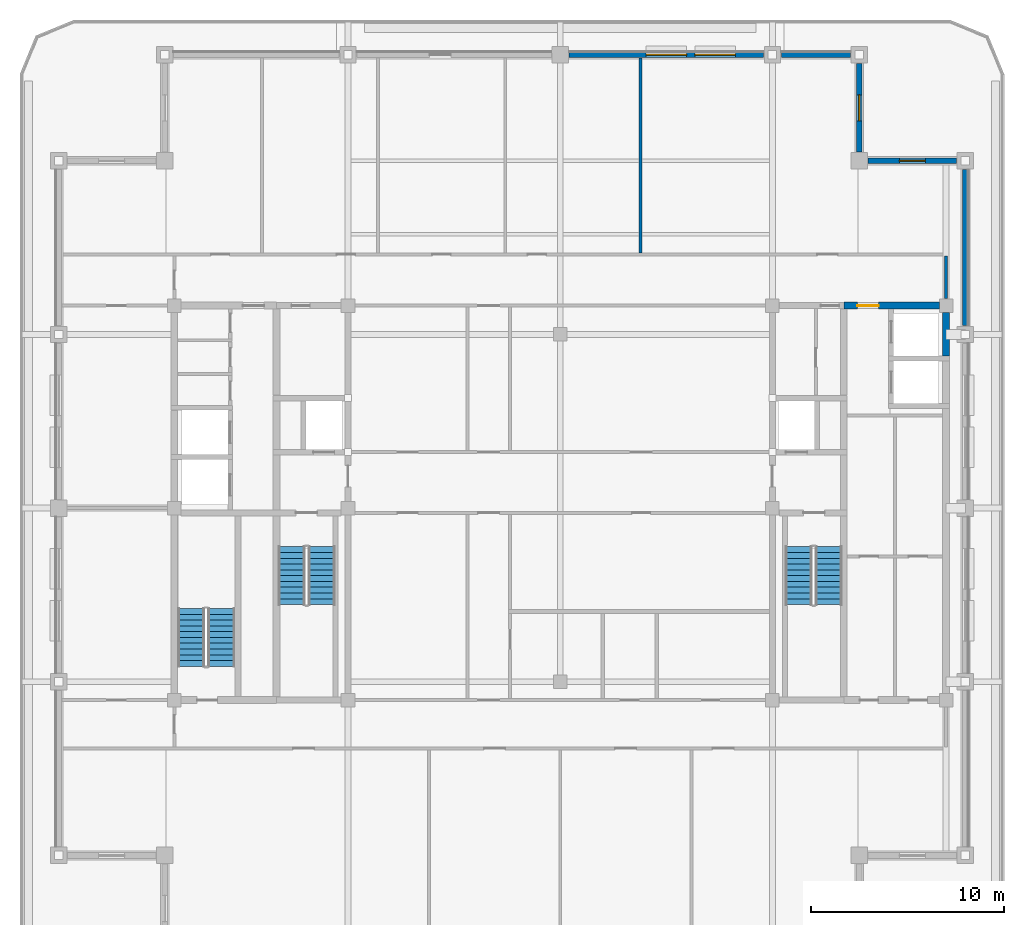
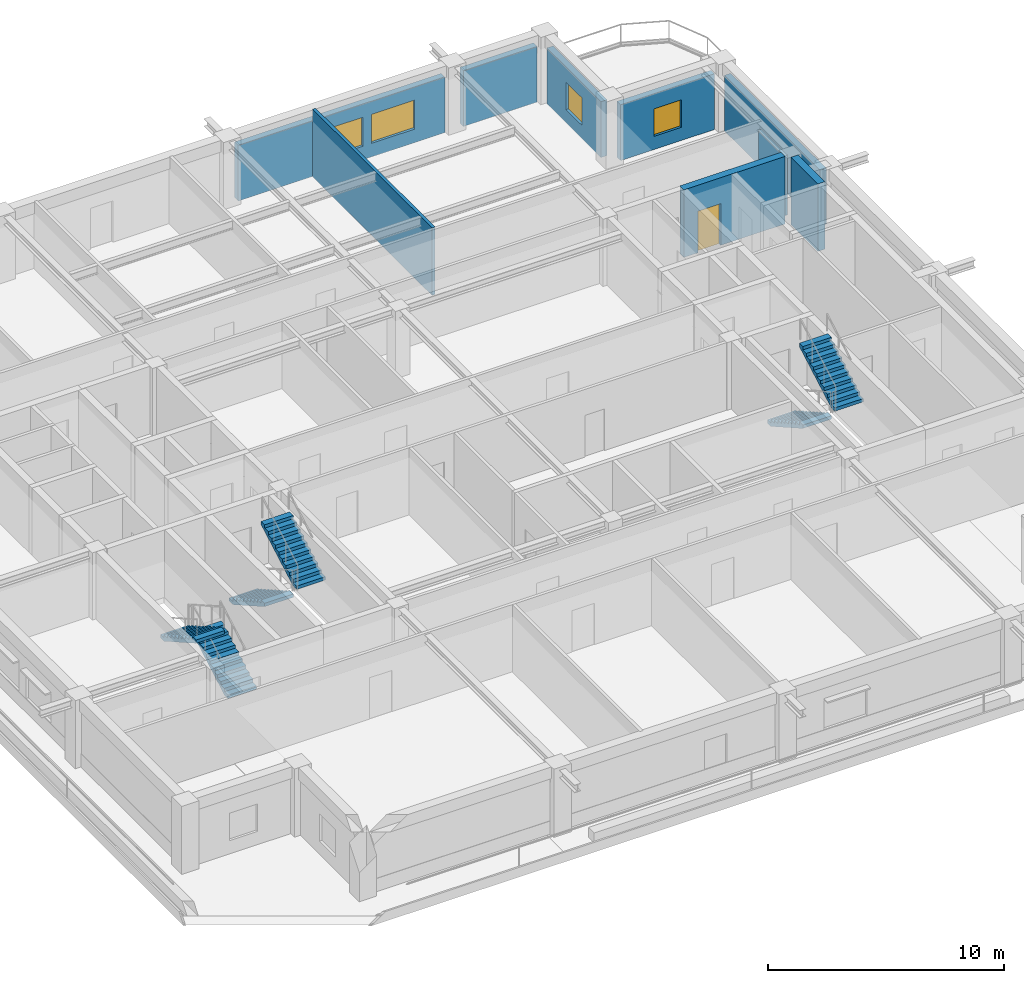
# One storey, part 6 of 11: 9 walls, 6 stair flights, 4 windows, 1 door, 5 openings, 3 elements without a shape of their own.
"""IFC4 building model written with IfcOpenShell, lengths in metres."""

from ifc_helpers import new_model, si_unit, direction, frame, frame_2d, origin, place, context, subcontext, project, spatial, polyline, rectangle, outline, extrude, material, layer, layer_set, type_object, element, fill, aggregate, save


model = new_model("IFC4")

# Units and contexts
model_context = context("Model", 3, precision=1e-05, world=origin(), true_north=direction((0.0, 1.0)))
body_context = subcontext(model_context, "Body", "Model", "MODEL_VIEW")
ifc_project = project(units=[si_unit("LENGTHUNIT", "METRE"), si_unit("AREAUNIT", "SQUARE_METRE"), si_unit("VOLUMEUNIT", "CUBIC_METRE"), si_unit("PLANEANGLEUNIT", "RADIAN"), si_unit("MASSUNIT", "GRAM", prefix="KILO")], contexts=[model_context])

# Site, building, storey
site_placement = place(None, origin())
site = spatial("IfcSite", under=ifc_project, at=site_placement, CompositionType="ELEMENT")
building_placement = place(site_placement, origin())
building = spatial("IfcBuilding", under=site, at=building_placement, Name="Zulmaris Gate Convention Tower", CompositionType="ELEMENT")
storey_placement = place(building_placement, frame((0.0, 0.0, 270.580078125)))
storey = spatial("IfcBuildingStorey", under=building, at=storey_placement, Name="L72", CompositionType="ELEMENT", Elevation=270.580078125)

# Wall, opening, door
ifc_material_1 = material(Name="Concrete C55/67", Category="concrete")
ifc_layer_1 = layer(ifc_material_1, 0.35009765625, Name="Concrete C55/67")
ifc_layer_set_1 = layer_set([ifc_layer_1], Name="Concrete C55/67")
wall_type_1 = type_object("IfcWallType", Name="CORE-350", PredefinedType="SHEAR", material=ifc_layer_set_1)
wall_1_placement = place(storey_placement, frame((14.699951171875, 10.5, 0.0), z_axis=(0.0, 0.0, 1.0), x_axis=(1.0, 0.0, 0.0)))
wall_1 = element("IfcWall", 1, at=wall_1_placement, inside=storey, type_object=wall_type_1, Name="WL-L72-018", PredefinedType="SHEAR", context=body_context, shape_type="SweptSolid", body=[
    extrude(rectangle(XDim=4.946044921875, YDim=0.35009765625, at=frame_2d((2.47314453125, 0.0))), origin(), (0.0, 0.0, 1.0), 3.489990234375),
])
opening_1_placement = place(wall_1_placement, frame((0.699951171875, 0.0, 0.0)))
opening_1 = element("IfcOpeningElement", 2, at=opening_1_placement, cuts=wall_1, Name="Opening D-08", PredefinedType="OPENING", context=body_context, shape_type="SweptSolid", body=[
    extrude(rectangle(XDim=1.10009765625, YDim=2.14990234375, at=frame_2d((0.550048828125, 1.074951171875))), frame((0.0, 0.18505859375, 0.0), z_axis=(0.0, -1.0, 0.0), x_axis=(1.0, 0.0, 0.0)), (0.0, 0.0, 1.0), 0.3701171875),
])
ifc_material_2 = material(Name="Fire-Rated Steel", Category="steel")
door_type = type_object("IfcDoorType", Name="DR-1100-FD", OperationType="NOTDEFINED", PredefinedType="DOOR", material=ifc_material_2)
door_placement = place(opening_1_placement, origin())
door = element("IfcDoor", 3, at=door_placement, inside=storey, type_object=door_type, Name="L72 High-Rise East Lift Lobby Door 19", OperationType="SINGLE_SWING_LEFT", OverallHeight=2.14990234375, OverallWidth=1.10009765625, PredefinedType="DOOR", context=body_context, shape_type="SweptSolid", body=[
    extrude(rectangle(XDim=1.10009765625, YDim=2.14990234375, at=frame_2d((0.550048828125, 1.074951171875))), frame((0.0, 0.02490234375, 0.0), z_axis=(0.0, -1.0, 0.0), x_axis=(1.0, 0.0, 0.0)), (0.0, 0.0, 1.0), 0.050048828125),
])
fill(opening_1, door)

# Walls
wall_2_placement = place(storey_placement, frame((20.0, 7.876953125, 0.0), z_axis=(0.0, 0.0, 1.0), x_axis=(0.0, 1.0, 0.0)))
element("IfcWall", 4, at=wall_2_placement, inside=storey, type_object=wall_type_1, Name="WL-L72-064", PredefinedType="SHEAR", context=body_context, shape_type="SweptSolid", body=[
    extrude(rectangle(XDim=2.26904296875, YDim=0.35009765625, at=frame_2d((1.134521484375, 0.0))), origin(), (0.0, 0.0, 1.0), 3.489990234375),
])
ifc_material_3 = material(Name="Gypsum Metal Stud Partition")
ifc_layer_2 = layer(ifc_material_3, 0.14990234375, Name="Gypsum Metal Stud Partition")
ifc_layer_set_2 = layer_set([ifc_layer_2], Name="Gypsum Metal Stud Partition")
wall_type_2 = type_object("IfcWallType", Name="PART-150", PredefinedType="PARTITIONING", material=ifc_layer_set_2)
wall_3_placement = place(storey_placement, frame((4.14990234375, 13.22802734375, 0.0), z_axis=(0.0, 0.0, 1.0), x_axis=(0.0, 1.0, 0.0)))
element("IfcWall", 5, at=wall_3_placement, inside=storey, type_object=wall_type_2, Name="WL-L72-081", PredefinedType="PARTITIONING", context=body_context, shape_type="SweptSolid", body=[
    extrude(rectangle(XDim=10.10693359375, YDim=0.14990234375, at=frame_2d((5.053466796875, 0.0))), origin(), (0.0, 0.0, 1.0), 3.489990234375),
])
wall_4_placement = place(storey_placement, frame((20.0, 10.85595703125, 0.0), z_axis=(0.0, 0.0, 1.0), x_axis=(0.0, 1.0, 0.0)))
element("IfcWall", 6, at=wall_4_placement, inside=storey, type_object=wall_type_2, Name="WL-L72-088", PredefinedType="PARTITIONING", context=body_context, shape_type="SweptSolid", body=[
    extrude(rectangle(XDim=2.216064453125, YDim=0.14990234375, at=frame_2d((1.10791015625, 0.0))), origin(), (0.0, 0.0, 1.0), 3.080078125),
])

# Wall, opening, window
ifc_material_4 = material(Name="Precast concrete C40/50", Category="concrete")
ifc_layer_3 = layer(ifc_material_4, 0.300048828125, Name="Precast concrete C40/50")
ifc_layer_set_3 = layer_set([ifc_layer_3], Name="Precast concrete C40/50")
wall_type_3 = type_object("IfcWallType", Name="PRECAST-PIER-300", PredefinedType="STANDARD", material=ifc_layer_set_3)
wall_5_placement = place(storey_placement, frame((20.544921875, 18.0, 0.0), z_axis=(0.0, 0.0, 1.0), x_axis=(-1.0, 0.0, 0.0)))
wall_5 = element("IfcWall", 7, at=wall_5_placement, inside=storey, type_object=wall_type_3, Name="EW-L72-NOTCH-NE1_0", PredefinedType="STANDARD", context=body_context, shape_type="SweptSolid", body=[
    extrude(rectangle(XDim=4.58984375, YDim=0.300048828125, at=frame_2d((2.294921875, 0.0))), origin(), (0.0, 0.0, 1.0), 2.882080078125),
])
opening_2_placement = place(wall_5_placement, frame((1.6201171875, 0.0, 0.679931640625)))
opening_2 = element("IfcOpeningElement", 8, at=opening_2_placement, cuts=wall_5, Name="Opening W-10", PredefinedType="OPENING", context=body_context, shape_type="SweptSolid", body=[
    extrude(rectangle(XDim=1.35009765625, YDim=1.419921875, at=frame_2d((0.675048828125, 0.7099609375))), frame((0.0, 0.16015625, 0.0), z_axis=(0.0, -1.0, 0.0), x_axis=(1.0, 0.0, 0.0)), (0.0, 0.0, 1.0), 0.320068359375),
])
ifc_material_5 = material(Name="Low-E Laminated Double Glazing in Aluminium Frame", Category="aluminium")
window_type_1 = type_object("IfcWindowType", Name="WIN-1350x2000", PartitioningType="SINGLE_PANEL", PredefinedType="WINDOW", material=ifc_material_5)
window_1_placement = place(opening_2_placement, origin())
window_1 = element("IfcWindow", 9, at=window_1_placement, inside=storey, type_object=window_type_1, Name="WN-EW-L72-NOTCH-NE1_0", OverallHeight=1.419921875, OverallWidth=1.35009765625, PartitioningType="SINGLE_PANEL", PredefinedType="WINDOW", context=body_context, shape_type="SweptSolid", body=[
    extrude(rectangle(XDim=1.35009765625, YDim=1.419921875, at=frame_2d((0.675048828125, 0.7099609375))), frame((0.0, 0.030029296875, 0.0), z_axis=(0.0, -1.0, 0.0), x_axis=(1.0, 0.0, 0.0)), (0.0, 0.0, 1.0), 0.06005859375),
])
fill(opening_2, window_1)

wall_6_placement = place(storey_placement, frame((15.5, 18.455078125, 0.0), z_axis=(0.0, 0.0, 1.0), x_axis=(0.0, 1.0, 0.0)))
wall_6 = element("IfcWall", 10, at=wall_6_placement, inside=storey, type_object=wall_type_3, Name="EW-L72-NOTCH-NE2_0", PredefinedType="STANDARD", context=body_context, shape_type="SweptSolid", body=[
    extrude(rectangle(XDim=4.58984375, YDim=0.300048828125, at=frame_2d((2.294921875, 0.0))), origin(), (0.0, 0.0, 1.0), 2.882080078125),
])
opening_3_placement = place(wall_6_placement, frame((1.6201171875, 0.0, 0.679931640625)))
opening_3 = element("IfcOpeningElement", 11, at=opening_3_placement, cuts=wall_6, Name="Opening W-10", PredefinedType="OPENING", context=body_context, shape_type="SweptSolid", body=[
    extrude(rectangle(XDim=1.35009765625, YDim=1.419921875, at=frame_2d((0.675048828125, 0.7099609375))), frame((0.0, 0.16015625, 0.0), z_axis=(0.0, -1.0, 0.0), x_axis=(1.0, 0.0, 0.0)), (0.0, 0.0, 1.0), 0.320068359375),
])
window_2_placement = place(opening_3_placement, origin())
window_2 = element("IfcWindow", 12, at=window_2_placement, inside=storey, type_object=window_type_1, Name="WN-EW-L72-NOTCH-NE2_0", OverallHeight=1.419921875, OverallWidth=1.35009765625, PartitioningType="SINGLE_PANEL", PredefinedType="WINDOW", context=body_context, shape_type="SweptSolid", body=[
    extrude(rectangle(XDim=1.35009765625, YDim=1.419921875, at=frame_2d((0.675048828125, 0.7099609375))), frame((0.0, 0.030029296875, 0.0), z_axis=(0.0, -1.0, 0.0), x_axis=(1.0, 0.0, 0.0)), (0.0, 0.0, 1.0), 0.06005859375),
])
fill(opening_3, window_2)

# Wall, openings, windows
wall_7_placement = place(storey_placement, frame((10.544921875, 23.5, 0.0), z_axis=(0.0, 0.0, 1.0), x_axis=(-1.0, 0.0, 0.0)))
wall_7 = element("IfcWall", 13, at=wall_7_placement, inside=storey, type_object=wall_type_3, Name="EW-L72-N-2_0", PredefinedType="STANDARD", context=body_context, shape_type="SweptSolid", body=[
    extrude(rectangle(XDim=10.08984375, YDim=0.300048828125, at=frame_2d((5.044921875, 0.0))), origin(), (0.0, 0.0, 1.0), 2.882080078125),
])
opening_4_placement = place(wall_7_placement, frame((1.471923828125, 0.0, 0.699951171875)))
opening_4 = element("IfcOpeningElement", 14, at=opening_4_placement, cuts=wall_7, Name="Opening W-05", PredefinedType="OPENING", context=body_context, shape_type="SweptSolid", body=[
    extrude(rectangle(XDim=2.10009765625, YDim=1.5, at=frame_2d((1.050048828125, 0.75))), frame((0.0, 0.16015625, 0.0), z_axis=(0.0, -1.0, 0.0), x_axis=(1.0, 0.0, 0.0)), (0.0, 0.0, 1.0), 0.320068359375),
])
opening_5_placement = place(wall_7_placement, frame((3.9951171875, 0.0, 0.699951171875)))
opening_5 = element("IfcOpeningElement", 15, at=opening_5_placement, cuts=wall_7, Name="Opening W-05", PredefinedType="OPENING", context=body_context, shape_type="SweptSolid", body=[
    extrude(rectangle(XDim=2.10009765625, YDim=1.5, at=frame_2d((1.050048828125, 0.75))), frame((0.0, 0.16015625, 0.0), z_axis=(0.0, -1.0, 0.0), x_axis=(1.0, 0.0, 0.0)), (0.0, 0.0, 1.0), 0.320068359375),
])
window_type_2 = type_object("IfcWindowType", Name="WIN-2100x2400", PartitioningType="SINGLE_PANEL", PredefinedType="WINDOW", material=ifc_material_5)
window_3_placement = place(opening_4_placement, origin())
window_3 = element("IfcWindow", 16, at=window_3_placement, inside=storey, type_object=window_type_2, Name="WN-EW-L72-N-2_0-1", OverallHeight=1.5, OverallWidth=2.10009765625, PartitioningType="SINGLE_PANEL", PredefinedType="WINDOW", context=body_context, shape_type="SweptSolid", body=[
    extrude(rectangle(XDim=2.10009765625, YDim=1.5, at=frame_2d((1.050048828125, 0.75))), frame((0.0, 0.030029296875, 0.0), z_axis=(0.0, -1.0, 0.0), x_axis=(1.0, 0.0, 0.0)), (0.0, 0.0, 1.0), 0.06005859375),
])
fill(opening_4, window_3)
window_4_placement = place(opening_5_placement, origin())
window_4 = element("IfcWindow", 17, at=window_4_placement, inside=storey, type_object=window_type_2, Name="WN-EW-L72-N-2_0-2", OverallHeight=1.5, OverallWidth=2.10009765625, PartitioningType="SINGLE_PANEL", PredefinedType="WINDOW", context=body_context, shape_type="SweptSolid", body=[
    extrude(rectangle(XDim=2.10009765625, YDim=1.5, at=frame_2d((1.050048828125, 0.75))), frame((0.0, 0.030029296875, 0.0), z_axis=(0.0, -1.0, 0.0), x_axis=(1.0, 0.0, 0.0)), (0.0, 0.0, 1.0), 0.06005859375),
])
fill(opening_5, window_4)

# Walls
wall_8_placement = place(storey_placement, frame((15.044921875, 23.5, 0.0), z_axis=(0.0, 0.0, 1.0), x_axis=(-1.0, 0.0, 0.0)))
element("IfcWall", 18, at=wall_8_placement, inside=storey, type_object=wall_type_3, Name="EW-L72-N-3_0", PredefinedType="STANDARD", context=body_context, shape_type="SweptSolid", body=[
    extrude(rectangle(XDim=3.58984375, YDim=0.300048828125, at=frame_2d((1.794921875, 0.0))), origin(), (0.0, 0.0, 1.0), 2.882080078125),
])
wall_9_placement = place(storey_placement, frame((21.0, 9.455078125, 0.0), z_axis=(0.0, 0.0, 1.0), x_axis=(0.0, 1.0, 0.0)))
element("IfcWall", 19, at=wall_9_placement, inside=storey, type_object=wall_type_3, Name="EW-L72-E-3_0", PredefinedType="STANDARD", context=body_context, shape_type="SweptSolid", body=[
    extrude(rectangle(XDim=8.08984375, YDim=0.300048828125, at=frame_2d((4.044921875, 0.0))), origin(), (0.0, 0.0, 1.0), 2.882080078125),
])

# Stair, stair flights
ifc_material_6 = material(Name="Concrete C45/55", Category="concrete")
stair_type = type_object("IfcStairType", Name="ST-CORE-DOGLEG", PredefinedType="HALF_TURN_STAIR", material=ifc_material_6)
stair_1_placement = place(storey_placement, origin())
stair_1 = element("IfcStair", 20, at=stair_1_placement, inside=storey, type_object=stair_type, Name="L72 Core Exit Stair ST-1", PredefinedType="HALF_TURN_STAIR")
ifc_layer_4 = layer(ifc_material_6, 0.14990234375, Name="Concrete C45/55")
ifc_layer_set_4 = layer_set([ifc_layer_4], Name="Concrete C45/55")
stair_flight_type = type_object("IfcStairFlightType", Name="STF-RC150", PredefinedType="STRAIGHT", material=ifc_layer_set_4)
stair_flight_1_placement = place(storey_placement, frame((-13.919921875, -2.0, 0.0), z_axis=(0.0, 0.0, 1.0), x_axis=(0.0, -1.0, 0.0)))
stair_flight_1 = element("IfcStairFlight", 21, at=stair_flight_1_placement, type_object=stair_flight_type, Name="ST-1 flight 1", NumberOfRisers=11, NumberOfTreads=10, PredefinedType="STRAIGHT", RiserHeight=0.17, TreadLength=0.3, context=body_context, shape_type="SweptSolid", body=[
    extrude(outline(polyline([(0.0, 0.0), (0.0, 0.169921875), (0.300048828125, 0.169921875), (0.300048828125, 0.340087890625), (0.60009765625, 0.340087890625), (0.60009765625, 0.510009765625), (0.89990234375, 0.510009765625), (0.89990234375, 0.679931640625), (1.199951171875, 0.679931640625), (1.199951171875, 0.85009765625), (1.5, 0.85009765625), (1.5, 1.02001953125), (1.800048828125, 1.02001953125), (1.800048828125, 1.18994140625), (2.10009765625, 1.18994140625), (2.10009765625, 1.360107421875), (2.39990234375, 1.360107421875), (2.39990234375, 1.530029296875), (2.699951171875, 1.530029296875), (2.699951171875, 1.699951171875), (3.0, 1.699951171875), (3.0, 1.8701171875), (3.0, 1.527587890625), (0.303955078125, 0.0), (0.0, 0.0)])), frame((0.0, 0.699951171875, 0.0), z_axis=(0.0, -1.0, 0.0), x_axis=(1.0, 0.0, 0.0)), (0.0, 0.0, 1.0), 1.39990234375),
])
stair_flight_2_placement = place(storey_placement, frame((-12.360107421875, -5.0, 1.8701171875), z_axis=(0.0, 0.0, 1.0), x_axis=(0.0, 1.0, 0.0)))
stair_flight_2 = element("IfcStairFlight", 22, at=stair_flight_2_placement, type_object=stair_flight_type, Name="ST-1 flight 2", NumberOfRisers=11, NumberOfTreads=10, PredefinedType="STRAIGHT", RiserHeight=0.17, TreadLength=0.3, context=body_context, shape_type="SweptSolid", body=[
    extrude(outline(polyline([(0.0, 0.0), (0.0, 0.169921875), (0.300048828125, 0.169921875), (0.300048828125, 0.340087890625), (0.60009765625, 0.340087890625), (0.60009765625, 0.510009765625), (0.89990234375, 0.510009765625), (0.89990234375, 0.679931640625), (1.199951171875, 0.679931640625), (1.199951171875, 0.85009765625), (1.5, 0.85009765625), (1.5, 1.02001953125), (1.800048828125, 1.02001953125), (1.800048828125, 1.18994140625), (2.10009765625, 1.18994140625), (2.10009765625, 1.360107421875), (2.39990234375, 1.360107421875), (2.39990234375, 1.530029296875), (2.699951171875, 1.530029296875), (2.699951171875, 1.699951171875), (3.0, 1.699951171875), (3.0, 1.8701171875), (3.0, 1.527587890625), (0.303955078125, 0.0), (0.0, 0.0)])), frame((0.0, 0.699951171875, 0.0), z_axis=(0.0, -1.0, 0.0), x_axis=(1.0, 0.0, 0.0)), (0.0, 0.0, 1.0), 1.39990234375),
])
aggregate(stair_1, [stair_flight_1, stair_flight_2])

stair_2_placement = place(storey_placement, origin())
stair_2 = element("IfcStair", 23, at=stair_2_placement, inside=storey, type_object=stair_type, Name="L72 Core Exit Stair ST-2", PredefinedType="HALF_TURN_STAIR")
stair_flight_3_placement = place(storey_placement, frame((12.360107421875, -2.0, 0.0), z_axis=(0.0, 0.0, 1.0), x_axis=(0.0, -1.0, 0.0)))
stair_flight_3 = element("IfcStairFlight", 24, at=stair_flight_3_placement, type_object=stair_flight_type, Name="ST-2 flight 1", NumberOfRisers=11, NumberOfTreads=10, PredefinedType="STRAIGHT", RiserHeight=0.17, TreadLength=0.3, context=body_context, shape_type="SweptSolid", body=[
    extrude(outline(polyline([(0.0, 0.0), (0.0, 0.169921875), (0.300048828125, 0.169921875), (0.300048828125, 0.340087890625), (0.60009765625, 0.340087890625), (0.60009765625, 0.510009765625), (0.89990234375, 0.510009765625), (0.89990234375, 0.679931640625), (1.199951171875, 0.679931640625), (1.199951171875, 0.85009765625), (1.5, 0.85009765625), (1.5, 1.02001953125), (1.800048828125, 1.02001953125), (1.800048828125, 1.18994140625), (2.10009765625, 1.18994140625), (2.10009765625, 1.360107421875), (2.39990234375, 1.360107421875), (2.39990234375, 1.530029296875), (2.699951171875, 1.530029296875), (2.699951171875, 1.699951171875), (3.0, 1.699951171875), (3.0, 1.8701171875), (3.0, 1.527587890625), (0.303955078125, 0.0), (0.0, 0.0)])), frame((0.0, 0.699951171875, 0.0), z_axis=(0.0, -1.0, 0.0), x_axis=(1.0, 0.0, 0.0)), (0.0, 0.0, 1.0), 1.39990234375),
])
stair_flight_4_placement = place(storey_placement, frame((13.919921875, -5.0, 1.8701171875), z_axis=(0.0, 0.0, 1.0), x_axis=(0.0, 1.0, 0.0)))
stair_flight_4 = element("IfcStairFlight", 25, at=stair_flight_4_placement, type_object=stair_flight_type, Name="ST-2 flight 2", NumberOfRisers=11, NumberOfTreads=10, PredefinedType="STRAIGHT", RiserHeight=0.17, TreadLength=0.3, context=body_context, shape_type="SweptSolid", body=[
    extrude(outline(polyline([(0.0, 0.0), (0.0, 0.169921875), (0.300048828125, 0.169921875), (0.300048828125, 0.340087890625), (0.60009765625, 0.340087890625), (0.60009765625, 0.510009765625), (0.89990234375, 0.510009765625), (0.89990234375, 0.679931640625), (1.199951171875, 0.679931640625), (1.199951171875, 0.85009765625), (1.5, 0.85009765625), (1.5, 1.02001953125), (1.800048828125, 1.02001953125), (1.800048828125, 1.18994140625), (2.10009765625, 1.18994140625), (2.10009765625, 1.360107421875), (2.39990234375, 1.360107421875), (2.39990234375, 1.530029296875), (2.699951171875, 1.530029296875), (2.699951171875, 1.699951171875), (3.0, 1.699951171875), (3.0, 1.8701171875), (3.0, 1.527587890625), (0.303955078125, 0.0), (0.0, 0.0)])), frame((0.0, 0.699951171875, 0.0), z_axis=(0.0, -1.0, 0.0), x_axis=(1.0, 0.0, 0.0)), (0.0, 0.0, 1.0), 1.39990234375),
])
aggregate(stair_2, [stair_flight_3, stair_flight_4])

stair_3_placement = place(storey_placement, origin())
stair_3 = element("IfcStair", 26, at=stair_3_placement, inside=storey, type_object=stair_type, Name="L72 Core Exit Stair ST-3", PredefinedType="HALF_TURN_STAIR")
stair_flight_5_placement = place(storey_placement, frame((-17.56005859375, -8.199951171875, 0.0), z_axis=(0.0, 0.0, 1.0), x_axis=(0.0, 1.0, 0.0)))
stair_flight_5 = element("IfcStairFlight", 27, at=stair_flight_5_placement, type_object=stair_flight_type, Name="ST-3 flight 1", NumberOfRisers=11, NumberOfTreads=10, PredefinedType="STRAIGHT", RiserHeight=0.17, TreadLength=0.3, context=body_context, shape_type="SweptSolid", body=[
    extrude(outline(polyline([(0.0, 0.0), (0.0, 0.169921875), (0.300048828125, 0.169921875), (0.300048828125, 0.340087890625), (0.60009765625, 0.340087890625), (0.60009765625, 0.510009765625), (0.89990234375, 0.510009765625), (0.89990234375, 0.679931640625), (1.199951171875, 0.679931640625), (1.199951171875, 0.85009765625), (1.5, 0.85009765625), (1.5, 1.02001953125), (1.800048828125, 1.02001953125), (1.800048828125, 1.18994140625), (2.10009765625, 1.18994140625), (2.10009765625, 1.360107421875), (2.39990234375, 1.360107421875), (2.39990234375, 1.530029296875), (2.699951171875, 1.530029296875), (2.699951171875, 1.699951171875), (3.0, 1.699951171875), (3.0, 1.8701171875), (3.0, 1.527587890625), (0.303955078125, 0.0), (0.0, 0.0)])), frame((0.0, 0.699951171875, 0.0), z_axis=(0.0, -1.0, 0.0), x_axis=(1.0, 0.0, 0.0)), (0.0, 0.0, 1.0), 1.39990234375),
])
stair_flight_6_placement = place(storey_placement, frame((-19.1201171875, -5.199951171875, 1.8701171875), z_axis=(0.0, 0.0, 1.0), x_axis=(0.0, -1.0, 0.0)))
stair_flight_6 = element("IfcStairFlight", 28, at=stair_flight_6_placement, type_object=stair_flight_type, Name="ST-3 flight 2", NumberOfRisers=11, NumberOfTreads=10, PredefinedType="STRAIGHT", RiserHeight=0.17, TreadLength=0.3, context=body_context, shape_type="SweptSolid", body=[
    extrude(outline(polyline([(0.0, 0.0), (0.0, 0.169921875), (0.300048828125, 0.169921875), (0.300048828125, 0.340087890625), (0.60009765625, 0.340087890625), (0.60009765625, 0.510009765625), (0.89990234375, 0.510009765625), (0.89990234375, 0.679931640625), (1.199951171875, 0.679931640625), (1.199951171875, 0.85009765625), (1.5, 0.85009765625), (1.5, 1.02001953125), (1.800048828125, 1.02001953125), (1.800048828125, 1.18994140625), (2.10009765625, 1.18994140625), (2.10009765625, 1.360107421875), (2.39990234375, 1.360107421875), (2.39990234375, 1.530029296875), (2.699951171875, 1.530029296875), (2.699951171875, 1.699951171875), (3.0, 1.699951171875), (3.0, 1.8701171875), (3.0, 1.527587890625), (0.303955078125, 0.0), (0.0, 0.0)])), frame((0.0, 0.699951171875, 0.0), z_axis=(0.0, -1.0, 0.0), x_axis=(1.0, 0.0, 0.0)), (0.0, 0.0, 1.0), 1.39990234375),
])
aggregate(stair_3, [stair_flight_5, stair_flight_6])

save(model, "model.ifc")
